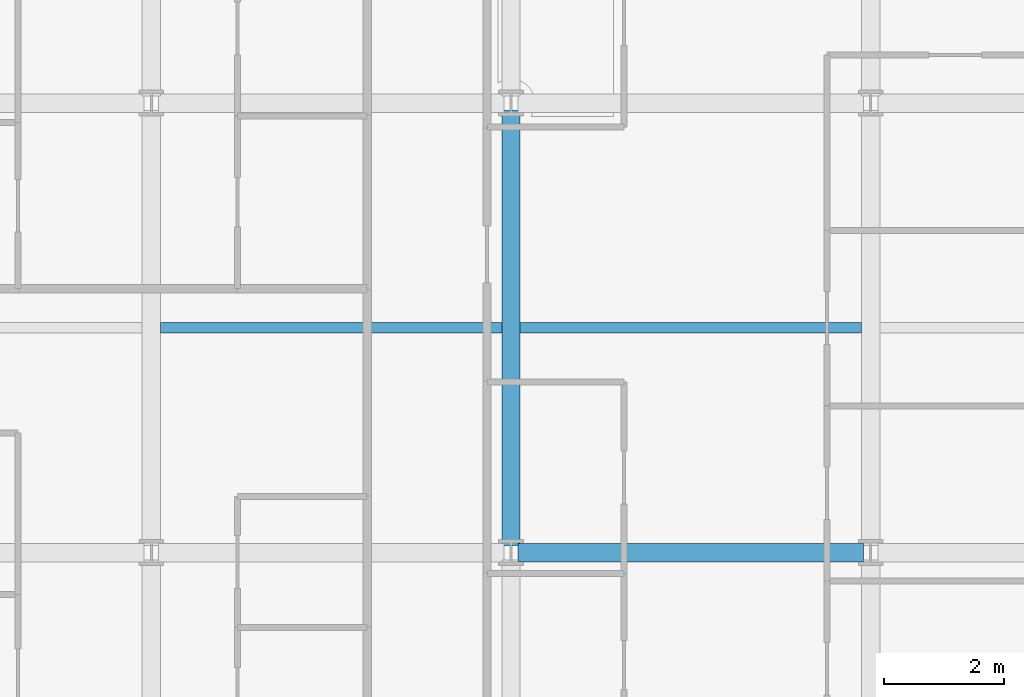
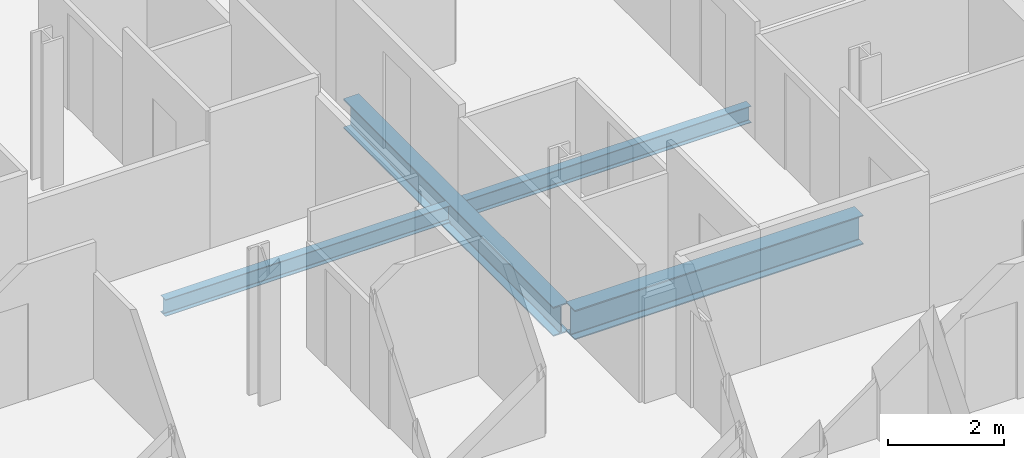
# One storey, part 6 of 40: 4 beams.
"""IFC4 building model written with IfcOpenShell, lengths in metres."""

from ifc_helpers import new_model, si_unit, direction, frame, origin, origin_2d, place, context, subcontext, project, spatial, i_section, extrude, material, material_profile, profile_set, type_object, element, save


model = new_model("IFC4")

# Units and contexts
model_context = context("Model", 3, precision=1e-05, world=origin(), true_north=direction((0.0, 1.0)))
body_context = subcontext(model_context, "Body", "Model", "MODEL_VIEW")
ifc_project = project(units=[si_unit("LENGTHUNIT", "METRE"), si_unit("AREAUNIT", "SQUARE_METRE"), si_unit("VOLUMEUNIT", "CUBIC_METRE"), si_unit("PLANEANGLEUNIT", "RADIAN"), si_unit("MASSUNIT", "GRAM", prefix="KILO")], contexts=[model_context])

# Site, building, storey
site_placement = place(None, origin())
site = spatial("IfcSite", under=ifc_project, at=site_placement, CompositionType="ELEMENT")
building_placement = place(site_placement, origin())
building = spatial("IfcBuilding", under=site, at=building_placement, Name="Brevholm Reach", CompositionType="ELEMENT")
storey_placement = place(building_placement, frame((0.0, 0.0, 62.10009765625)))
storey = spatial("IfcBuildingStorey", under=building, at=storey_placement, Name="L17", CompositionType="ELEMENT", Elevation=62.10009765625)

# Beams
ifc_material_1 = material(Name="Structural Steel S355J2", Category="steel")
ifc_material_profile_1 = material_profile(ifc_material_1, i_section(OverallWidth=0.17138671875, OverallDepth=0.35498046875, WebThickness=0.00732421875, FlangeThickness=0.011474609375, FilletRadius=0.01025390625, at=origin_2d()), Name="UKB 356x171x51")
ifc_profile_set_1 = profile_set([ifc_material_profile_1], Name="Structural Steel S355J2")
beam_type_1 = type_object("IfcBeamType", Name="BM-B356", PredefinedType="BEAM", material=ifc_profile_set_1)
for number, where, z_axis, x_axis, name in (
    (1, (6.153564453125, 19.75, -0.40771484375), (1.0, 0.0, 0.0), (0.0, 1.0, 0.0), "L17 Composite Secondary Floor Beam"),
    (2, (12.153564453125, 19.75, -0.40771484375), (1.0, 0.0, 0.0), (0.0, 1.0, 0.0), "L17 Composite Secondary Floor Beam"),
):
    element("IfcBeam", number, at=place(storey_placement, frame(where, z_axis=z_axis, x_axis=x_axis)), inside=storey, type_object=beam_type_1, Name=name, PredefinedType="BEAM", context=body_context, shape_type="SweptSolid", body=[
        extrude(i_section(OverallWidth=0.17138671875, OverallDepth=0.35498046875, WebThickness=0.00732421875, FlangeThickness=0.011474609375, FilletRadius=0.01025390625, at=origin_2d()), origin(), (0.0, 0.0, 1.0), 5.69287109375),
    ])
ifc_material_2 = material(Name="Structural Steel S355J2", Category="steel")
ifc_material_profile_2 = material_profile(ifc_material_2, i_section(OverallWidth=0.30712890625, OverallDepth=0.6201171875, WebThickness=0.01416015625, FlangeThickness=0.023681640625, FilletRadius=0.0166015625, at=origin_2d()), Name="UKB 610x305x179")
ifc_profile_set_2 = profile_set([ifc_material_profile_2], Name="Structural Steel S355J2")
beam_type_2 = type_object("IfcBeamType", Name="BM-UKB610H", PredefinedType="USERDEFINED", material=ifc_profile_set_2)
beam_1_placement = place(storey_placement, frame((12.1201171875, 16.0, -0.540283203125), z_axis=(1.0, 0.0, 0.0), x_axis=(0.0, 1.0, 0.0)))
element("IfcBeam", 3, at=beam_1_placement, inside=storey, type_object=beam_type_2, Name="L17 G-06 Framing Beam", ObjectType="GIRDER", PredefinedType="USERDEFINED", context=body_context, shape_type="SweptSolid", body=[
    extrude(i_section(OverallWidth=0.30712890625, OverallDepth=0.6201171875, WebThickness=0.01416015625, FlangeThickness=0.023681640625, FilletRadius=0.0166015625, at=origin_2d()), origin(), (0.0, 0.0, 1.0), 5.759765625),
])
beam_2_placement = place(storey_placement, frame((12.0, 16.1201171875, -0.540283203125), z_axis=(0.0, 1.0, 0.0), x_axis=(-1.0, 0.0, 0.0)))
element("IfcBeam", 4, at=beam_2_placement, inside=storey, type_object=beam_type_2, Name="L17 G-06 Framing Beam", ObjectType="GIRDER", PredefinedType="USERDEFINED", context=body_context, shape_type="SweptSolid", body=[
    extrude(i_section(OverallWidth=0.30712890625, OverallDepth=0.6201171875, WebThickness=0.01416015625, FlangeThickness=0.023681640625, FilletRadius=0.0166015625, at=origin_2d()), origin(), (0.0, 0.0, 1.0), 7.259765625),
])

save(model, "model.ifc")
